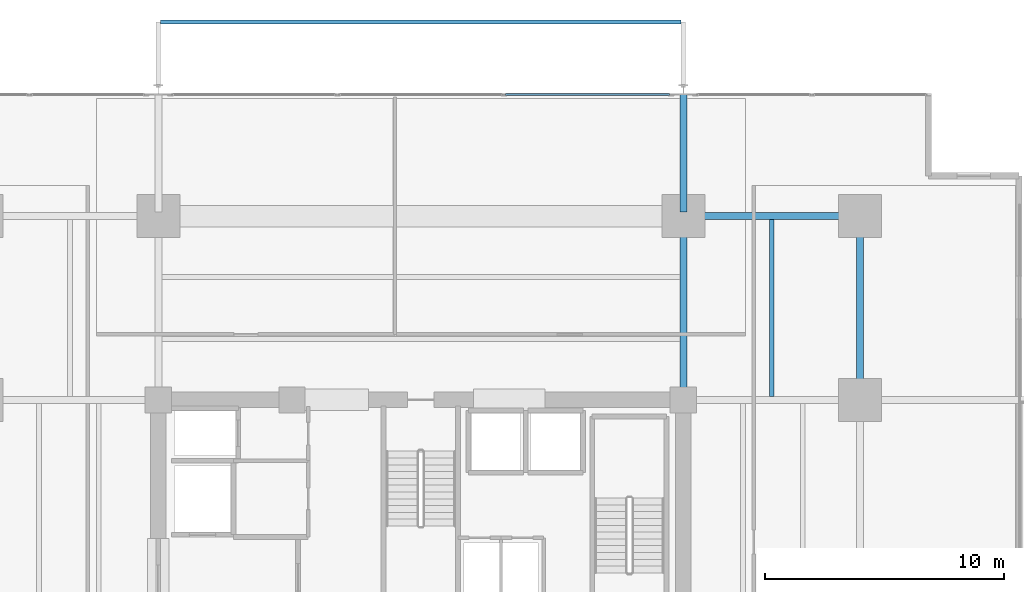
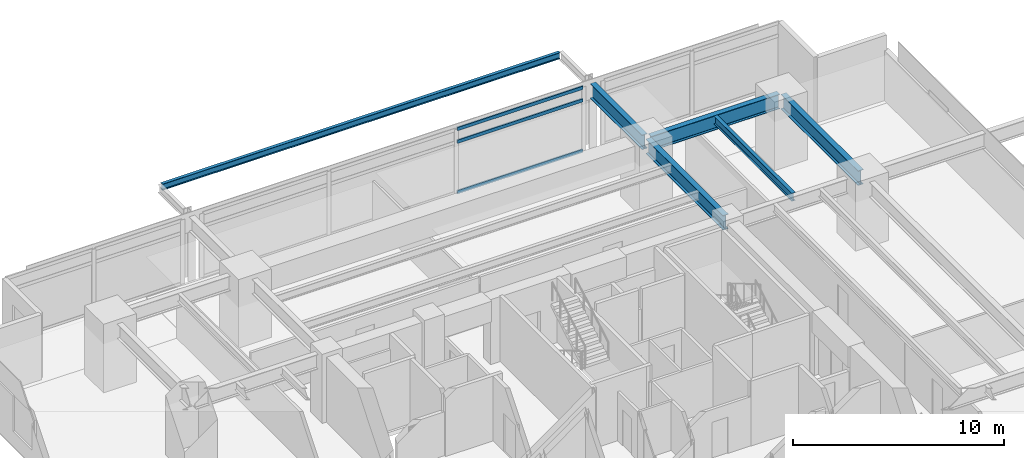
# One storey, part 10 of 20: 6 beams, 3 members, 1 element without a shape of its own.
"""IFC4 building model written with IfcOpenShell, lengths in metres."""

import ifcopenshell
import ifcopenshell.guid

model = None  # the IFC model being written
_history = None  # IfcOwnerHistory: only IFC2X3 demands one
_inside = {}  # id of a spatial element -> (the spatial element, [elements in it])
_under = {}  # id of a project, library or spatial element -> (it, [spatial elements below it])
_declared = {}  # id of a project -> (the project, [libraries it declares])
_typed = {}  # id of a type object -> (the type object, [elements of that type])
_made_of = {}  # id of a material, layer set ... -> (it, [elements and type objects made of it])


def new_model(schema):
    """Start an empty IFC model of exactly this schema.

    Asked for "IFC4X3", IfcOpenShell would pick the latest addendum, in which some entities
    have other attributes; the version numbers below select the first issue.
    IFC2X3 requires an IfcOwnerHistory on every rooted entity: one is made here for all.
    """
    global model, _history
    if schema == "IFC4X3":
        model = ifcopenshell.file(schema_version=(4, 3, 0, 0))
    else:
        model = ifcopenshell.file(schema=schema)
    _inside.clear()
    _under.clear()
    _declared.clear()
    _typed.clear()
    _made_of.clear()
    _history = None
    if model.schema == "IFC2X3":
        org = make("IfcOrganization", Name="unknown")
        user = make(
            "IfcPersonAndOrganization",
            ThePerson=make("IfcPerson", FamilyName="unknown"),
            TheOrganization=org,
        )
        app = make(
            "IfcApplication",
            ApplicationDeveloper=org,
            Version="unknown",
            ApplicationFullName="unknown",
            ApplicationIdentifier="unknown",
        )
        _history = make(
            "IfcOwnerHistory",
            OwningUser=user,
            OwningApplication=app,
            ChangeAction="ADDED",
            CreationDate=0,
        )
    return model


def make(cls, **values):
    """One entity of the class cls with the attributes given. An attribute that is None is left unset."""
    return model.create_entity(
        cls, **{name: value for name, value in values.items() if value is not None}
    )


def rooted(cls, **values):
    """An entity with a GlobalId (a new one), such as an element, a storey or a relation."""
    return make(cls, GlobalId=ifcopenshell.guid.new(), OwnerHistory=_history, **values)


def si_unit(unit_type, name, prefix=None):
    """IfcSIUnit, for example si_unit("LENGTHUNIT", "METRE", prefix="MILLI")."""
    return make("IfcSIUnit", UnitType=unit_type, Prefix=prefix, Name=name)


def assignment(units):
    """IfcUnitAssignment: the units of a project."""
    return None if units is None else make("IfcUnitAssignment", Units=units)


def point(xyz):
    """IfcCartesianPoint."""
    return None if xyz is None else make("IfcCartesianPoint", Coordinates=xyz)


def direction(xyz):
    """IfcDirection."""
    return None if xyz is None else make("IfcDirection", DirectionRatios=xyz)


def frame(location, z_axis=None, x_axis=None):
    """IfcAxis2Placement3D, a coordinate frame: its origin and axes. An axis left out is left unset."""
    return make(
        "IfcAxis2Placement3D",
        Location=point(location),
        Axis=direction(z_axis),
        RefDirection=direction(x_axis),
    )


def frame_2d(location, x_axis=None):
    """IfcAxis2Placement2D, a coordinate frame in the plane: its origin and x axis."""
    return make(
        "IfcAxis2Placement2D", Location=point(location), RefDirection=direction(x_axis)
    )


def origin():
    """The frame at (0, 0, 0) with its axes left unset."""
    return frame((0.0, 0.0, 0.0))


def origin_2d():
    """The frame at (0, 0) in the plane with its x axis left unset."""
    return frame_2d((0.0, 0.0))


def place(relative_to, where):
    """IfcLocalPlacement: puts the frame where relative to a parent placement (None: the world)."""
    return make(
        "IfcLocalPlacement", PlacementRelTo=relative_to, RelativePlacement=where
    )


def context(
    kind, dimensions, precision=None, world=None, true_north=None, identifier=None
):
    """IfcGeometricRepresentationContext, for example the 3D "Model" context."""
    return make(
        "IfcGeometricRepresentationContext",
        ContextIdentifier=identifier,
        ContextType=kind,
        CoordinateSpaceDimension=dimensions,
        Precision=precision,
        WorldCoordinateSystem=world,
        TrueNorth=true_north,
    )


def subcontext(parent, identifier, kind, view, scale=None):
    """IfcGeometricRepresentationSubContext, for example "Body" below "Model"."""
    return make(
        "IfcGeometricRepresentationSubContext",
        ContextIdentifier=identifier,
        ContextType=kind,
        ParentContext=parent,
        TargetScale=scale,
        TargetView=view,
    )


def project(units=None, contexts=None):
    """IfcProject with its units and contexts."""
    return rooted(
        "IfcProject",
        Name="project",
        RepresentationContexts=contexts,
        UnitsInContext=assignment(units),
    )


def spatial(cls, under=None, at=None, **own):
    """A site, building, storey or space (cls), placed at a placement, below another one or the project."""
    s = rooted(cls, ObjectPlacement=at, **own)
    if under is not None:
        _under.setdefault(under.id(), (under, []))[1].append(s)
    return s


def profile(cls, at=None, kind="AREA", **sizes):
    """A parametric profile (cls). Its sizes go by their IFC names, for example OverallWidth=200.0."""
    return make(cls, ProfileType=kind, Position=at, **sizes)


def hollow_rectangle(**sizes):
    """IfcRectangleHollowProfileDef."""
    return profile("IfcRectangleHollowProfileDef", **sizes)


def i_section(**sizes):
    """IfcIShapeProfileDef."""
    return profile("IfcIShapeProfileDef", **sizes)


def extrude(swept, where, along, depth):
    """IfcExtrudedAreaSolid: the profile swept, set in the frame where, extruded along a direction by depth."""
    return make(
        "IfcExtrudedAreaSolid",
        SweptArea=swept,
        Position=where,
        ExtrudedDirection=direction(along),
        Depth=depth,
    )


def shape(context_of_items, identifier, shape_type, items):
    """IfcShapeRepresentation: the items that make up one representation, for example the "Body"."""
    return make(
        "IfcShapeRepresentation",
        ContextOfItems=context_of_items,
        RepresentationIdentifier=identifier,
        RepresentationType=shape_type,
        Items=items,
    )


def material(Name=None, Category=None):
    """IfcMaterial."""
    return make("IfcMaterial", Name=Name, Category=Category)


def material_profile(
    of_material, cross_section, Name=None, Category=None, Priority=None
):
    """IfcMaterialProfile: a cross section and its material."""
    return make(
        "IfcMaterialProfile",
        Name=Name,
        Material=of_material,
        Profile=cross_section,
        Priority=Priority,
        Category=Category,
    )


def profile_set(profiles, Name=None, composite=None):
    """IfcMaterialProfileSet."""
    return make(
        "IfcMaterialProfileSet",
        Name=Name,
        MaterialProfiles=profiles,
        CompositeProfile=composite,
    )


def made_of(thing, what):
    """Note that an element or type object is made of a material, layer set ...; save() writes the relation."""
    if what is not None:
        _made_of.setdefault(what.id(), (what, []))[1].append(thing)
    return thing


def type_object(cls, material=None, **own):
    """A type object (cls), such as IfcWallType, which elements share."""
    return made_of(rooted(cls, **own), material)


def element(
    cls,
    number,
    at=None,
    inside=None,
    cuts=None,
    type_object=None,
    material=None,
    context=None,
    identifier="Body",
    shape_type=None,
    held_by="IfcProductDefinitionShape",
    body=None,
    shapes=None,
    **own,
):
    """One element of the class cls, such as IfcWall. Its Tag is "e" and its number.

    at: its placement. inside: the storey or other place that contains it. cuts: it is an
    opening in that element (IfcRelVoidsElement). A single representation is given by context,
    identifier, shape_type and body (its items); several are given by shapes. held_by: the class
    of the entity that holds the representations. save() writes the other relations.
    """
    e = rooted(cls, Tag="e%d" % number, ObjectPlacement=at, **own)
    if body is not None:
        shapes = [shape(context, identifier, shape_type, body)]
    if shapes is not None:
        e.Representation = make(held_by, Representations=shapes)
    if inside is not None:
        _inside.setdefault(inside.id(), (inside, []))[1].append(e)
    if cuts is not None:
        rooted(
            "IfcRelVoidsElement", RelatingBuildingElement=cuts, RelatedOpeningElement=e
        )
    if type_object is not None:
        _typed.setdefault(type_object.id(), (type_object, []))[1].append(e)
    return made_of(e, material)


def aggregate(whole, parts):
    """IfcRelAggregates: a whole, such as a stair, and the parts it consists of."""
    return rooted("IfcRelAggregates", RelatingObject=whole, RelatedObjects=parts)


def save(model, path):
    """Write the relations noted so far, then the file.

    IfcRelAggregates (storeys below a building ...), IfcRelContainedInSpatialStructure (elements
    in a storey), IfcRelDefinesByType, IfcRelAssociatesMaterial and IfcRelDeclares: one each for
    every whole, place, type object, material and project.
    """
    for whole, parts in _under.values():
        aggregate(whole, parts)
    for where, things in _inside.values():
        rooted(
            "IfcRelContainedInSpatialStructure",
            RelatedElements=things,
            RelatingStructure=where,
        )
    for kind, things in _typed.values():
        rooted("IfcRelDefinesByType", RelatedObjects=things, RelatingType=kind)
    for what, things in _made_of.values():
        rooted("IfcRelAssociatesMaterial", RelatedObjects=things, RelatingMaterial=what)
    for by, libraries in _declared.values():
        rooted("IfcRelDeclares", RelatingContext=by, RelatedDefinitions=libraries)
    model.write(path)


model = new_model("IFC4")

# Units and contexts
model_context = context("Model", 3, precision=1e-05, world=origin(), true_north=direction((0.0, 1.0)))
body_context = subcontext(model_context, "Body", "Model", "MODEL_VIEW")
ifc_project = project(units=[si_unit("LENGTHUNIT", "METRE"), si_unit("AREAUNIT", "SQUARE_METRE"), si_unit("VOLUMEUNIT", "CUBIC_METRE"), si_unit("PLANEANGLEUNIT", "RADIAN"), si_unit("MASSUNIT", "GRAM", prefix="KILO")], contexts=[model_context])

# Site, building, storey
site_placement = place(None, origin())
site = spatial("IfcSite", under=ifc_project, at=site_placement, CompositionType="ELEMENT")
building_placement = place(site_placement, origin())
building = spatial("IfcBuilding", under=site, at=building_placement, Name="Kovane Verandah Tower", CompositionType="ELEMENT")
storey_placement = place(building_placement, frame((0.0, 0.0, 35.60009765625)))
storey = spatial("IfcBuildingStorey", under=building, at=storey_placement, Name="L07", CompositionType="ELEMENT", Elevation=35.60009765625)

# Beams
ifc_material_1 = material(Name="Steel S355", Category="steel")
ifc_material_profile_1 = material_profile(ifc_material_1, i_section(OverallWidth=0.293701171875, OverallDepth=0.850830078125, WebThickness=0.01611328125, FlangeThickness=0.02685546875, FilletRadius=0.017822265625, at=origin_2d()), Name="UB838x292x226")
ifc_profile_set_1 = profile_set([ifc_material_profile_1], Name="Steel S355")
beam_type_1 = type_object("IfcBeamType", Name="BM-UB838x226", PredefinedType="BEAM", material=ifc_profile_set_1)
beam_1_placement = place(storey_placement, frame((51.179931640625, 44.199951171875, 3.33447265625), z_axis=(1.0, 0.0, 0.0), x_axis=(0.0, 1.0, 0.0)))
element("IfcBeam", 1, at=beam_1_placement, inside=storey, type_object=beam_type_1, Name="L07 Primary Tower Girder G-RN3", PredefinedType="BEAM", context=body_context, shape_type="SweptSolid", body=[
    extrude(i_section(OverallWidth=0.293701171875, OverallDepth=0.850830078125, WebThickness=0.01611328125, FlangeThickness=0.02685546875, FilletRadius=0.017822265625, at=origin_2d()), origin(), (0.0, 0.0, 1.0), 7.0400390625),
])
for number, where, z_axis, x_axis, name in (
    (2, (58.39990234375, 36.679931640625, 3.33447265625), (0.0, 1.0, 0.0), (-1.0, 0.0, 0.0), "L07 Primary Tower Girder G-RE3"),
    (3, (51.0, 36.679931640625, 3.33447265625), (0.0, 1.0, 0.0), (-1.0, 0.0, 0.0), "L07 Primary Tower Girder G-N2"),
):
    element("IfcBeam", number, at=place(storey_placement, frame(where, z_axis=z_axis, x_axis=x_axis)), inside=storey, type_object=beam_type_1, Name=name, PredefinedType="BEAM", context=body_context, shape_type="SweptSolid", body=[
        extrude(i_section(OverallWidth=0.293701171875, OverallDepth=0.850830078125, WebThickness=0.01611328125, FlangeThickness=0.02685546875, FilletRadius=0.017822265625, at=origin_2d()), origin(), (0.0, 0.0, 1.0), 7.340087890625),
    ])
beam_2_placement = place(storey_placement, frame((51.0, 44.3798828125, 3.33447265625), z_axis=(0.0, 1.0, 0.0), x_axis=(-1.0, 0.0, 0.0)))
element("IfcBeam", 4, at=beam_2_placement, inside=storey, type_object=beam_type_1, Name="L07 Primary Tower Girder G-VN2", PredefinedType="BEAM", context=body_context, shape_type="SweptSolid", body=[
    extrude(i_section(OverallWidth=0.293701171875, OverallDepth=0.850830078125, WebThickness=0.01611328125, FlangeThickness=0.02685546875, FilletRadius=0.017822265625, at=origin_2d()), origin(), (0.0, 0.0, 1.0), 4.940185546875),
])

# Curtain wall, members
ifc_material_2 = material(Name="Champagne Anodised Aluminium Frame with Low-E Clear Laminated Glass", Category="aluminium")
curtain_wall_type = type_object("IfcCurtainWallType", Name="CW-SYS-02-LOW", PredefinedType="NOTDEFINED", material=ifc_material_2)
curtain_wall_placement = place(storey_placement, origin())
curtain_wall = element("IfcCurtainWall", 5, at=curtain_wall_placement, inside=storey, type_object=curtain_wall_type, Name="L07 N Unitised Curtain Wall-2", PredefinedType="NOTDEFINED")
ifc_material_3 = material(Name="Champagne Anodised Aluminium 6063-T6", Category="aluminium")
ifc_material_profile_2 = material_profile(ifc_material_3, hollow_rectangle(XDim=0.0849609375, YDim=0.18994140625, WallThickness=0.00390625, at=origin_2d()), Name="AL85x190x4")
ifc_profile_set_2 = profile_set([ifc_material_profile_2], Name="Champagne Anodised Aluminium 6063-T6")
member_type = type_object("IfcMemberType", Name="CW-TRN-85x190", PredefinedType="USERDEFINED", material=ifc_profile_set_2)
member_1_placement = place(storey_placement, frame((50.429931640625, 49.289306640625, 0.0498046875), z_axis=(-1.0, 0.0, 0.0), x_axis=(0.0, -1.0, 0.0)))
member_1 = element("IfcMember", 6, at=member_1_placement, type_object=member_type, Name="L07 N Unitised Curtain Wall-2 Transom TB Bay 1", ObjectType="TRANSOM", PredefinedType="USERDEFINED", context=body_context, shape_type="SweptSolid", body=[
    extrude(hollow_rectangle(XDim=0.0849609375, YDim=0.18994140625, WallThickness=0.00390625, at=origin_2d()), origin(), (0.0, 0.0, 1.0), 6.88671875),
])
member_2_placement = place(storey_placement, frame((50.429931640625, 49.289306640625, 2.97998046875), z_axis=(-1.0, 0.0, 0.0), x_axis=(0.0, -1.0, 0.0)))
member_2 = element("IfcMember", 7, at=member_2_placement, type_object=member_type, Name="L07 N Unitised Curtain Wall-2 Transom TM Bay 1", ObjectType="TRANSOM", PredefinedType="USERDEFINED", context=body_context, shape_type="SweptSolid", body=[
    extrude(hollow_rectangle(XDim=0.0849609375, YDim=0.18994140625, WallThickness=0.00390625, at=origin_2d()), origin(), (0.0, 0.0, 1.0), 6.88671875),
])
member_3_placement = place(storey_placement, frame((50.429931640625, 49.289306640625, 3.7099609375), z_axis=(-1.0, 0.0, 0.0), x_axis=(0.0, -1.0, 0.0)))
member_3 = element("IfcMember", 8, at=member_3_placement, type_object=member_type, Name="L07 N Unitised Curtain Wall-2 Transom TT Bay 1", ObjectType="TRANSOM", PredefinedType="USERDEFINED", context=body_context, shape_type="SweptSolid", body=[
    extrude(hollow_rectangle(XDim=0.0849609375, YDim=0.18994140625, WallThickness=0.00390625, at=origin_2d()), origin(), (0.0, 0.0, 1.0), 6.88671875),
])
aggregate(curtain_wall, [member_1, member_2, member_3])

# Beams
ifc_material_profile_3 = material_profile(ifc_material_1, i_section(OverallWidth=0.19287109375, OverallDepth=0.46728515625, WebThickness=0.011474609375, FlangeThickness=0.01953125, FilletRadius=0.01025390625, at=origin_2d()), Name="UB457x191x98")
ifc_profile_set_3 = profile_set([ifc_material_profile_3], Name="Steel S355")
beam_type_2 = type_object("IfcBeamType", Name="JST-UB457x98", PredefinedType="JOIST", material=ifc_profile_set_3)
beam_3_placement = place(storey_placement, frame((54.699951171875, 36.64501953125, 3.5263671875), z_axis=(0.0, 1.0, 0.0), x_axis=(-1.0, 0.0, 0.0)))
element("IfcBeam", 9, at=beam_3_placement, inside=storey, type_object=beam_type_2, Name="L07 Secondary Composite Joist J-NE1", PredefinedType="JOIST", context=body_context, shape_type="SweptSolid", body=[
    extrude(i_section(OverallWidth=0.19287109375, OverallDepth=0.46728515625, WebThickness=0.011474609375, FlangeThickness=0.01953125, FilletRadius=0.01025390625, at=origin_2d()), origin(), (0.0, 0.0, 1.0), 7.41015625),
])
ifc_material_profile_4 = material_profile(ifc_material_1, i_section(OverallWidth=0.173095703125, OverallDepth=0.36328125, WebThickness=0.009033203125, FlangeThickness=0.015625, FilletRadius=0.01025390625, at=origin_2d()), Name="UB356x171x67")
ifc_profile_set_4 = profile_set([ifc_material_profile_4], Name="Steel S355")
beam_type_3 = type_object("IfcBeamType", Name="SPD-UB356x67", PredefinedType="USERDEFINED", material=ifc_profile_set_4)
beam_4_placement = place(storey_placement, frame((29.094482421875, 52.332275390625, 3.578125), z_axis=(1.0, 0.0, 0.0), x_axis=(0.0, 1.0, 0.0)))
element("IfcBeam", 10, at=beam_4_placement, inside=storey, type_object=beam_type_3, Name="L07 North Planter Edge Spandrel", ObjectType="SPANDREL", PredefinedType="USERDEFINED", context=body_context, shape_type="SweptSolid", body=[
    extrude(i_section(OverallWidth=0.173095703125, OverallDepth=0.36328125, WebThickness=0.009033203125, FlangeThickness=0.015625, FilletRadius=0.01025390625, at=origin_2d()), origin(), (0.0, 0.0, 1.0), 21.81103515625),
])

save(model, "model.ifc")
